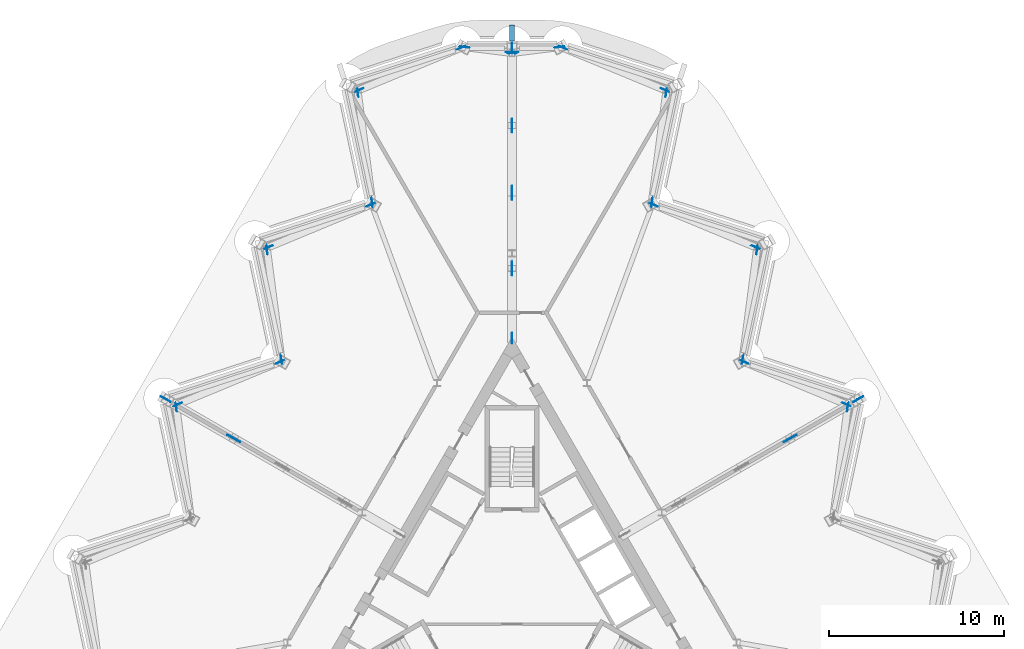
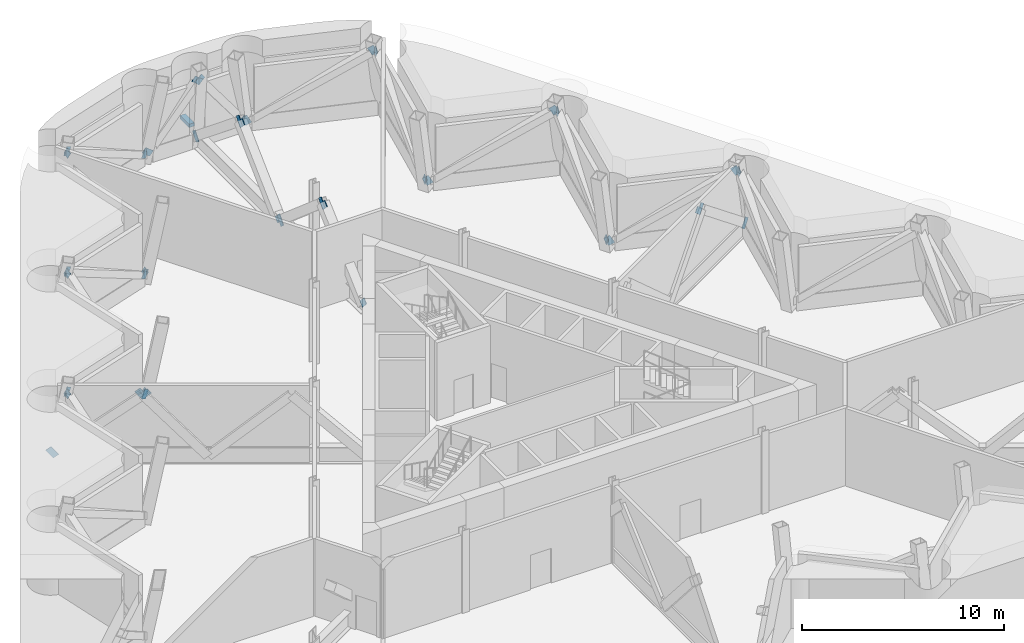
# One storey, part 12 of 16: 41 discrete accessories.
"""IFC4 building model written with IfcOpenShell, lengths in metres."""

from ifc_helpers import new_model, si_unit, direction, frame, origin, origin_2d, place, context, subcontext, project, spatial, rectangle, extrude, material, material_profile, profile_set, type_object, element, save


model = new_model("IFC4")

# Units and contexts
model_context = context("Model", 3, precision=1e-05, world=origin(), true_north=direction((0.0, 1.0)))
body_context = subcontext(model_context, "Body", "Model", "MODEL_VIEW")
ifc_project = project(units=[si_unit("LENGTHUNIT", "METRE"), si_unit("AREAUNIT", "SQUARE_METRE"), si_unit("VOLUMEUNIT", "CUBIC_METRE"), si_unit("PLANEANGLEUNIT", "RADIAN"), si_unit("MASSUNIT", "GRAM", prefix="KILO")], contexts=[model_context])

# Site, building, storey
site_placement = place(None, origin())
site = spatial("IfcSite", under=ifc_project, at=site_placement, CompositionType="ELEMENT")
building_placement = place(site_placement, origin())
building = spatial("IfcBuilding", under=site, at=building_placement, Name="Cormorant Prow Tower", CompositionType="ELEMENT")
storey_placement = place(building_placement, frame((0.0, 0.0, 356.0)))
storey = spatial("IfcBuildingStorey", under=building, at=storey_placement, Name="L79", CompositionType="ELEMENT", Elevation=356.0)

# Discrete accessories
ifc_material_1 = material(Name="Aluminium 6063-T6", Category="aluminium")
discrete_accessory_type_1 = type_object("IfcDiscreteAccessoryType", Name="Fascia bracket 900x300x200", PredefinedType="BRACKET", material=ifc_material_1)
discrete_accessory_1_placement = place(storey_placement, frame((0.0, 32.426025390625, 0.89990234375), z_axis=(0.0, 0.0, 1.0), x_axis=(0.0, 1.0, 0.0)))
element("IfcDiscreteAccessory", 1, at=discrete_accessory_1_placement, inside=storey, type_object=discrete_accessory_type_1, Name="Fascia bracket L79", PredefinedType="BRACKET", context=body_context, shape_type="SweptSolid", body=[
    extrude(rectangle(XDim=0.89990234375, YDim=0.300048828125, at=origin_2d()), origin(), (0.0, 0.0, 1.0), 0.199951171875),
])
ifc_material_2 = material(Name="Structural steel ASTM A500 Gr C", Category="steel")
ifc_material_profile_1 = material_profile(ifc_material_2, rectangle(XDim=0.031982421875, YDim=0.506103515625, at=origin_2d()), Name="Gusset plate 32x506")
ifc_profile_set_1 = profile_set([ifc_material_profile_1], Name="Structural steel ASTM A500 Gr C")
discrete_accessory_type_2 = type_object("IfcDiscreteAccessoryType", Name="Gusset plate 32x506", PredefinedType="BRACKET", material=ifc_profile_set_1)
discrete_accessory_2_placement = place(storey_placement, frame((19.214599609375, 10.855712890625, 4.099365234375), z_axis=(0.111628000554, 0.857442579252, 0.502326002491), x_axis=(-0.991631876353, 0.129097721901, 0.0)))
element("IfcDiscreteAccessory", 2, at=discrete_accessory_2_placement, inside=storey, type_object=discrete_accessory_type_2, Name="Gusset plate GP2 L79.ENE04.g1", PredefinedType="BRACKET", context=body_context, shape_type="SweptSolid", body=[
    extrude(rectangle(XDim=0.031982421875, YDim=0.506103515625, at=origin_2d()), origin(), (0.0, 0.0, 1.0), 0.349853515625),
])
for number, where, z_axis, x_axis, name in (
    (3, (13.439697265625, 13.525146484375, 0.6005859375), (-0.798719505122, 0.331346519592, -0.50225156654), (-0.383182908431, -0.923672484534, 0.0), "Gusset plate GP2 L79.ENE05.g0"),
    (4, (19.008544921875, 11.21240234375, 4.099365234375), (0.798719505122, -0.331346519592, 0.50225156654), (0.383182908431, 0.923672484534, 0.0), "Gusset plate GP2 L79.ENE05.g1"),
):
    element("IfcDiscreteAccessory", number, at=place(storey_placement, frame(where, z_axis=z_axis, x_axis=x_axis)), inside=storey, type_object=discrete_accessory_type_2, Name=name, PredefinedType="BRACKET", context=body_context, shape_type="SweptSolid", body=[
        extrude(rectangle(XDim=0.031982421875, YDim=0.506103515625, at=origin_2d()), origin(), (0.0, 0.0, 1.0), 0.35009765625),
    ])
discrete_accessory_3_placement = place(storey_placement, frame((13.233642578125, 13.8818359375, 0.6005859375), z_axis=(-0.111628000554, -0.857442579252, -0.502326002491), x_axis=(0.991631876353, -0.129097721901, 0.0)))
element("IfcDiscreteAccessory", 5, at=discrete_accessory_3_placement, inside=storey, type_object=discrete_accessory_type_2, Name="Gusset plate GP2 L79.ENE06.g0", PredefinedType="BRACKET", context=body_context, shape_type="SweptSolid", body=[
    extrude(rectangle(XDim=0.031982421875, YDim=0.506103515625, at=origin_2d()), origin(), (0.0, 0.0, 1.0), 0.349853515625),
])
for number, where, z_axis, x_axis, name in (
    (6, (14.0146484375, 19.862060546875, 4.099365234375), (0.112249754948, 0.857560239663, 0.501986481754), (-0.991541872927, 0.129787188245, 0.0), "Gusset plate GP2 L79.ENE06.g1"),
    (7, (8.24072265625, 22.5302734375, 0.6005859375), (-0.798971848004, 0.331161978885, -0.501971841678), (-0.382897582676, -0.923790799467, 0.0), "Gusset plate GP2 L79.ENE07.g0"),
    (8, (13.80859375, 20.21875, 4.099365234375), (0.798719505122, -0.331346519592, 0.50225156654), (0.383182908431, 0.923672484534, 0.0), "Gusset plate GP2 L79.ENE07.g1"),
    (9, (8.034423828125, 22.88720703125, 0.6005859375), (-0.111561255612, -0.857627152517, -0.502025650254), (0.991645307552, -0.128994511551, 0.0), "Gusset plate GP2 L79.ENE08.g0"),
    (10, (8.81494140625, 28.868408203125, 4.099365234375), (0.111561255612, 0.857627152517, 0.502025650254), (-0.991645307552, 0.128994511551, 0.0), "Gusset plate GP2 L79.ENE08.g1"),
    (11, (3.04150390625, 31.53564453125, 0.6005859375), (-0.798719505122, 0.331346519592, -0.50225156654), (-0.383182908431, -0.923672484534, 0.0), "Gusset plate GP2 L79.ENE09.g0"),
    (12, (8.60888671875, 29.225341796875, 4.099365234375), (0.798534760537, -0.331967289096, 0.502135395272), (0.383870842914, 0.923386796505, 0.0), "Gusset plate GP2 L79.ENE09.g1"),
    (13, (2.624267578125, 31.613037109375, 0.69091796875), (0.591558005523, 0.073247158703, -0.802928377779), (-0.122882347623, 0.992421245562, 0.0), "Gusset plate GP2 L79.N00.g0"),
):
    element("IfcDiscreteAccessory", number, at=place(storey_placement, frame(where, z_axis=z_axis, x_axis=x_axis)), inside=storey, type_object=discrete_accessory_type_2, Name=name, PredefinedType="BRACKET", context=body_context, shape_type="SweptSolid", body=[
        extrude(rectangle(XDim=0.031982421875, YDim=0.506103515625, at=origin_2d()), origin(), (0.0, 0.0, 1.0), 0.35009765625),
    ])
discrete_accessory_4_placement = place(storey_placement, frame((0.177490234375, 31.31005859375, 4.00927734375), z_axis=(-0.591889481332, -0.073288202288, 0.802680310768), x_axis=(0.122882347623, -0.992421245562, 0.0)))
element("IfcDiscreteAccessory", 14, at=discrete_accessory_4_placement, inside=storey, type_object=discrete_accessory_type_2, Name="Gusset plate GP2 L79.N00.g1", PredefinedType="BRACKET", context=body_context, shape_type="SweptSolid", body=[
    extrude(rectangle(XDim=0.031982421875, YDim=0.506103515625, at=origin_2d()), origin(), (0.0, 0.0, 1.0), 0.349853515625),
])
discrete_accessory_5_placement = place(storey_placement, frame((-2.624267578125, 31.613037109375, 0.69091796875), z_axis=(-0.591558005523, 0.073247158703, -0.802928377779), x_axis=(-0.122882347623, -0.992421245562, 0.0)))
element("IfcDiscreteAccessory", 15, at=discrete_accessory_5_placement, inside=storey, type_object=discrete_accessory_type_2, Name="Gusset plate GP2 L79.N01.g0", PredefinedType="BRACKET", context=body_context, shape_type="SweptSolid", body=[
    extrude(rectangle(XDim=0.031982421875, YDim=0.506103515625, at=origin_2d()), origin(), (0.0, 0.0, 1.0), 0.35009765625),
])
discrete_accessory_6_placement = place(storey_placement, frame((-0.177490234375, 31.31005859375, 4.00927734375), z_axis=(0.591889481332, -0.073288202288, 0.802680310768), x_axis=(0.122882347623, 0.992421245562, 0.0)))
element("IfcDiscreteAccessory", 16, at=discrete_accessory_6_placement, inside=storey, type_object=discrete_accessory_type_2, Name="Gusset plate GP2 L79.N01.g1", PredefinedType="BRACKET", context=body_context, shape_type="SweptSolid", body=[
    extrude(rectangle(XDim=0.031982421875, YDim=0.506103515625, at=origin_2d()), origin(), (0.0, 0.0, 1.0), 0.349853515625),
])
for number, where, z_axis, x_axis, name in (
    (17, (-3.04150390625, 31.53564453125, 0.6005859375), (0.798719505122, 0.331346519592, -0.50225156654), (-0.383182908431, 0.923672484534, 0.0), "Gusset plate GP2 L79.WNW00.g0"),
    (18, (-8.60888671875, 29.225341796875, 4.099365234375), (-0.798534760537, -0.331967289096, 0.502135395272), (0.383870842914, -0.923386796505, 0.0), "Gusset plate GP2 L79.WNW00.g1"),
    (19, (-8.034423828125, 22.88720703125, 0.6005859375), (0.111561255612, -0.857627152517, -0.502025650254), (0.991645307552, 0.128994511551, 0.0), "Gusset plate GP2 L79.WNW01.g0"),
    (20, (-8.81494140625, 28.868408203125, 4.099365234375), (-0.111561255612, 0.857627152517, 0.502025650254), (-0.991645307552, -0.128994511551, 0.0), "Gusset plate GP2 L79.WNW01.g1"),
    (21, (-8.24072265625, 22.5302734375, 0.6005859375), (0.798971848004, 0.331161978885, -0.501971841678), (-0.382897582676, 0.923790799467, 0.0), "Gusset plate GP2 L79.WNW02.g0"),
    (22, (-13.80859375, 20.21875, 4.099365234375), (-0.798719505122, -0.331346519592, 0.50225156654), (0.383182908431, -0.923672484534, 0.0), "Gusset plate GP2 L79.WNW02.g1"),
):
    element("IfcDiscreteAccessory", number, at=place(storey_placement, frame(where, z_axis=z_axis, x_axis=x_axis)), inside=storey, type_object=discrete_accessory_type_2, Name=name, PredefinedType="BRACKET", context=body_context, shape_type="SweptSolid", body=[
        extrude(rectangle(XDim=0.031982421875, YDim=0.506103515625, at=origin_2d()), origin(), (0.0, 0.0, 1.0), 0.35009765625),
    ])
discrete_accessory_7_placement = place(storey_placement, frame((-13.233642578125, 13.8818359375, 0.6005859375), z_axis=(0.111628000554, -0.857442579252, -0.502326002491), x_axis=(0.991631876353, 0.129097721901, 0.0)))
element("IfcDiscreteAccessory", 23, at=discrete_accessory_7_placement, inside=storey, type_object=discrete_accessory_type_2, Name="Gusset plate GP2 L79.WNW03.g0", PredefinedType="BRACKET", context=body_context, shape_type="SweptSolid", body=[
    extrude(rectangle(XDim=0.031982421875, YDim=0.506103515625, at=origin_2d()), origin(), (0.0, 0.0, 1.0), 0.349853515625),
])
for number, where, z_axis, x_axis, name in (
    (24, (-14.0146484375, 19.862060546875, 4.099365234375), (-0.112249754948, 0.857560239663, 0.501986481754), (-0.991541872927, -0.129787188245, 0.0), "Gusset plate GP2 L79.WNW03.g1"),
    (25, (-13.439697265625, 13.525146484375, 0.6005859375), (0.798719505122, 0.331346519592, -0.50225156654), (-0.383182908431, 0.923672484534, 0.0), "Gusset plate GP2 L79.WNW04.g0"),
    (26, (-19.008544921875, 11.21240234375, 4.099365234375), (-0.798719505122, -0.331346519592, 0.50225156654), (0.383182908431, -0.923672484534, 0.0), "Gusset plate GP2 L79.WNW04.g1"),
):
    element("IfcDiscreteAccessory", number, at=place(storey_placement, frame(where, z_axis=z_axis, x_axis=x_axis)), inside=storey, type_object=discrete_accessory_type_2, Name=name, PredefinedType="BRACKET", context=body_context, shape_type="SweptSolid", body=[
        extrude(rectangle(XDim=0.031982421875, YDim=0.506103515625, at=origin_2d()), origin(), (0.0, 0.0, 1.0), 0.35009765625),
    ])
discrete_accessory_8_placement = place(storey_placement, frame((-19.214599609375, 10.855712890625, 4.099365234375), z_axis=(-0.111628000554, 0.857442579252, 0.502326002491), x_axis=(-0.991631876353, -0.129097721901, 0.0)))
element("IfcDiscreteAccessory", 27, at=discrete_accessory_8_placement, inside=storey, type_object=discrete_accessory_type_2, Name="Gusset plate GP2 L79.WNW05.g1", PredefinedType="BRACKET", context=body_context, shape_type="SweptSolid", body=[
    extrude(rectangle(XDim=0.031982421875, YDim=0.506103515625, at=origin_2d()), origin(), (0.0, 0.0, 1.0), 0.349853515625),
])
ifc_material_3 = material(Name="Structural steel ASTM A500 Gr C", Category="steel")
ifc_material_profile_2 = material_profile(ifc_material_3, rectangle(XDim=0.031982421875, YDim=0.60791015625, at=origin_2d()), Name="Gusset plate 32x608")
ifc_profile_set_2 = profile_set([ifc_material_profile_2], Name="Structural steel ASTM A500 Gr C")
discrete_accessory_type_3 = type_object("IfcDiscreteAccessoryType", Name="Gusset plate 32x608", PredefinedType="BRACKET", material=ifc_profile_set_2)
for number, where, z_axis, x_axis, name in (
    (28, (0.0, 15.08349609375, 0.701416015625), (0.0, -0.741453150743, -0.671004638772), (1.0, 0.0, 0.0), "Gusset plate GP1 L79.01.1.g0"),
    (29, (0.0, 18.728271484375, 3.99853515625), (0.0, 0.741453150743, 0.671004638772), (-1.0, 0.0, 0.0), "Gusset plate GP1 L79.01.1.g1"),
):
    element("IfcDiscreteAccessory", number, at=place(storey_placement, frame(where, z_axis=z_axis, x_axis=x_axis)), inside=storey, type_object=discrete_accessory_type_3, Name=name, PredefinedType="BRACKET", context=body_context, shape_type="SweptSolid", body=[
        extrude(rectangle(XDim=0.031982421875, YDim=0.60791015625, at=origin_2d()), origin(), (0.0, 0.0, 1.0), 0.35009765625),
    ])
discrete_accessory_9_placement = place(storey_placement, frame((0.0, 19.178466796875, 4.004638671875), z_axis=(0.0, -0.759108832376, 0.650963732176), x_axis=(1.0, 0.0, 0.0)))
element("IfcDiscreteAccessory", 30, at=discrete_accessory_9_placement, inside=storey, type_object=discrete_accessory_type_3, Name="Gusset plate GP1 L79.01.2.g0", PredefinedType="BRACKET", context=body_context, shape_type="SweptSolid", body=[
    extrude(rectangle(XDim=0.031982421875, YDim=0.60791015625, at=origin_2d()), origin(), (0.0, 0.0, 1.0), 0.349853515625),
])
for number, where, z_axis, x_axis, name in (
    (31, (0.0, 23.040771484375, 0.6953125), (0.0, 0.759404255012, -0.650619072476), (-1.0, 0.0, 0.0), "Gusset plate GP1 L79.01.2.g1"),
    (32, (0.0, 23.485107421875, 0.707763671875), (0.0, -0.721944647447, -0.691950811852), (1.0, 0.0, 0.0), "Gusset plate GP1 L79.01.3.g0"),
    (33, (0.0, 26.913330078125, 3.9921875), (0.0, 0.721944647447, 0.691950811852), (-1.0, 0.0, 0.0), "Gusset plate GP1 L79.01.3.g1"),
    (34, (0.0, 27.362548828125, 4.010498046875), (0.0, -0.775601709276, 0.631222614114), (1.0, 0.0, 0.0), "Gusset plate GP1 L79.01.4.g0"),
    (35, (0.0, 31.443359375, 0.689453125), (0.0, 0.775601709276, -0.631222614114), (-1.0, 0.0, 0.0), "Gusset plate GP1 L79.01.4.g1"),
    (36, (-15.768310546875, 9.103759765625, 3.9736328125), (-0.569051216736, 0.32845970966, 0.753853388837), (-0.499906209203, -0.866079547155, 0.0), "Gusset plate GP1 L79.03.3.g1"),
    (37, (-16.1416015625, 9.3193359375, 4.011962890625), (0.675108247256, -0.389861064273, 0.626288435987), (0.500083826171, 0.865977001312, 0.0), "Gusset plate GP1 L79.03.4.g0"),
):
    element("IfcDiscreteAccessory", number, at=place(storey_placement, frame(where, z_axis=z_axis, x_axis=x_axis)), inside=storey, type_object=discrete_accessory_type_3, Name=name, PredefinedType="BRACKET", context=body_context, shape_type="SweptSolid", body=[
        extrude(rectangle(XDim=0.031982421875, YDim=0.60791015625, at=origin_2d()), origin(), (0.0, 0.0, 1.0), 0.35009765625),
    ])
discrete_accessory_10_placement = place(storey_placement, frame((-19.72314453125, 11.38720703125, 0.68798828125), z_axis=(-0.674911961346, 0.389452817405, -0.626753817258), x_axis=(-0.499799992569, -0.866140847338, 0.0)))
element("IfcDiscreteAccessory", 38, at=discrete_accessory_10_placement, inside=storey, type_object=discrete_accessory_type_3, Name="Gusset plate GP1 L79.03.4.g1", PredefinedType="BRACKET", context=body_context, shape_type="SweptSolid", body=[
    extrude(rectangle(XDim=0.031982421875, YDim=0.60791015625, at=origin_2d()), origin(), (0.0, 0.0, 1.0), 0.349853515625),
])
for number, where, z_axis, x_axis, name in (
    (39, (15.768310546875, 9.103759765625, 3.9736328125), (0.569051216736, 0.32845970966, 0.753853388837), (-0.499906209203, 0.866079547155, 0.0), "Gusset plate GP1 L79.11.3.g1"),
    (40, (16.1416015625, 9.3193359375, 4.011962890625), (-0.675108247256, -0.389861064273, 0.626288435987), (0.500083826171, -0.865977001312, 0.0), "Gusset plate GP1 L79.11.4.g0"),
):
    element("IfcDiscreteAccessory", number, at=place(storey_placement, frame(where, z_axis=z_axis, x_axis=x_axis)), inside=storey, type_object=discrete_accessory_type_3, Name=name, PredefinedType="BRACKET", context=body_context, shape_type="SweptSolid", body=[
        extrude(rectangle(XDim=0.031982421875, YDim=0.60791015625, at=origin_2d()), origin(), (0.0, 0.0, 1.0), 0.35009765625),
    ])
discrete_accessory_11_placement = place(storey_placement, frame((19.72314453125, 11.38720703125, 0.68798828125), z_axis=(0.674911961346, 0.389452817405, -0.626753817258), x_axis=(-0.499799992569, 0.866140847338, 0.0)))
element("IfcDiscreteAccessory", 41, at=discrete_accessory_11_placement, inside=storey, type_object=discrete_accessory_type_3, Name="Gusset plate GP1 L79.11.4.g1", PredefinedType="BRACKET", context=body_context, shape_type="SweptSolid", body=[
    extrude(rectangle(XDim=0.031982421875, YDim=0.60791015625, at=origin_2d()), origin(), (0.0, 0.0, 1.0), 0.349853515625),
])

save(model, "model.ifc")
